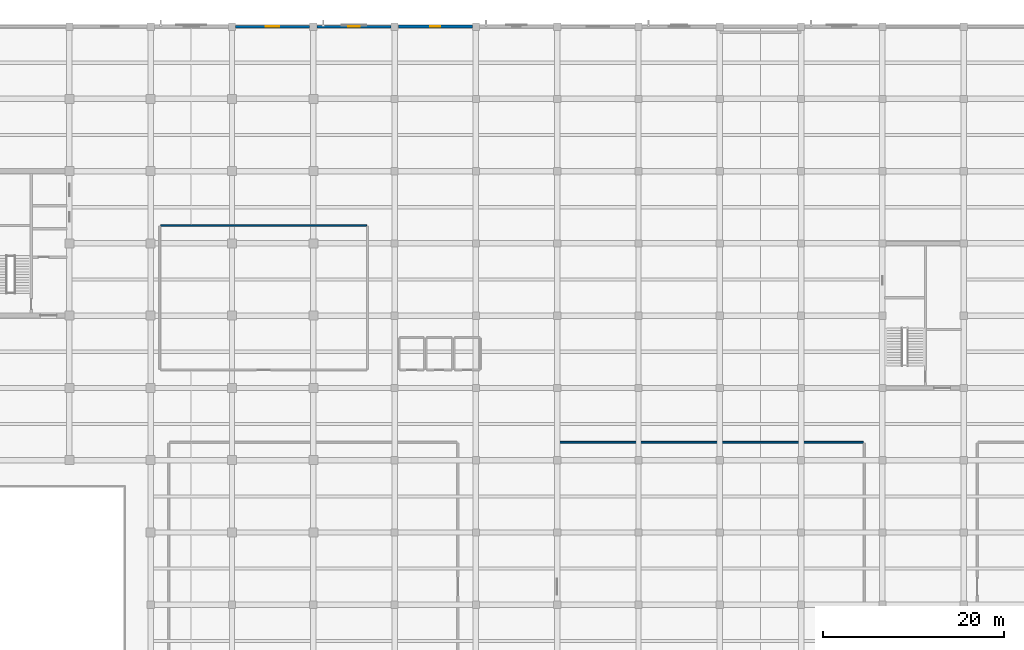
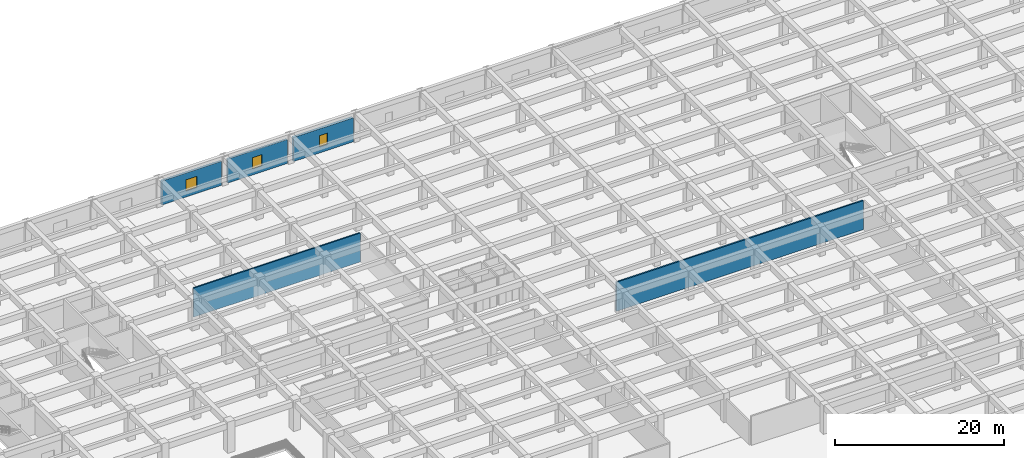
# One storey, part 15 of 32: 5 walls, 3 windows, 3 openings.
"""IFC4 building model written with IfcOpenShell, lengths in metres."""

from ifc_helpers import new_model, si_unit, direction, frame, frame_2d, origin, place, context, subcontext, project, spatial, rectangle, extrude, material, layer, layer_set, type_object, element, fill, save


model = new_model("IFC4")

# Units and contexts
model_context = context("Model", 3, precision=1e-05, world=origin(), true_north=direction((0.0, 1.0)))
body_context = subcontext(model_context, "Body", "Model", "MODEL_VIEW")
ifc_project = project(units=[si_unit("LENGTHUNIT", "METRE"), si_unit("AREAUNIT", "SQUARE_METRE"), si_unit("VOLUMEUNIT", "CUBIC_METRE"), si_unit("PLANEANGLEUNIT", "RADIAN"), si_unit("MASSUNIT", "GRAM", prefix="KILO")], contexts=[model_context])

# Site, building, storey
site_placement = place(None, origin())
site = spatial("IfcSite", under=ifc_project, at=site_placement, CompositionType="ELEMENT")
building_placement = place(site_placement, origin())
building = spatial("IfcBuilding", under=site, at=building_placement, Name="Zaverband Oceanarium and Marine Research Institute", CompositionType="ELEMENT")
storey_placement = place(building_placement, frame((0.0, 0.0, 13.5)))
storey = spatial("IfcBuildingStorey", under=building, at=storey_placement, Name="L03", CompositionType="ELEMENT", Elevation=13.5)

# Wall, opening, window
ifc_material_1 = material(Name="Concrete C40/50 precast", Category="concrete")
ifc_layer_1 = layer(ifc_material_1, 0.264892578125, Name="Concrete C40/50 precast")
ifc_layer_set_1 = layer_set([ifc_layer_1], Name="Concrete C40/50 precast")
wall_type_1 = type_object("IfcWallType", Name="EW-265", PredefinedType="STANDARD", material=ifc_layer_set_1)
wall_1_placement = place(storey_placement, frame((72.405029296875, 120.0, 0.0), z_axis=(0.0, 0.0, 1.0), x_axis=(1.0, 0.0, 0.0)))
wall_1 = element("IfcWall", 1, at=wall_1_placement, inside=storey, type_object=wall_type_1, Name="Exterior infill wall EW-265", PredefinedType="STANDARD", context=body_context, shape_type="SweptSolid", body=[
    extrude(rectangle(XDim=8.18994140625, YDim=0.264892578125, at=frame_2d((4.094970703125, 0.0))), origin(), (0.0, 0.0, 1.0), 3.47998046875),
])
opening_1_placement = place(wall_1_placement, frame((3.445068359375, 0.0, 0.85009765625)))
opening_1 = element("IfcOpeningElement", 2, at=opening_1_placement, cuts=wall_1, Name="Opening WN-1300x1650", PredefinedType="OPENING", context=body_context, shape_type="SweptSolid", body=[
    extrude(rectangle(XDim=1.300048828125, YDim=1.64990234375, at=frame_2d((0.64990234375, 0.824951171875))), frame((0.0, 0.14453125, 0.0), z_axis=(0.0, -1.0, 0.0), x_axis=(1.0, 0.0, 0.0)), (0.0, 0.0, 1.0), 0.288818359375),
])
ifc_material_2 = material(Name="Thermally broken anodized aluminium and solar-control glass", Category="aluminium")
window_type_1 = type_object("IfcWindowType", Name="WN-1300x1650", PartitioningType="SINGLE_PANEL", PredefinedType="WINDOW", material=ifc_material_2)
window_1_placement = place(opening_1_placement, origin())
window_1 = element("IfcWindow", 3, at=window_1_placement, inside=storey, type_object=window_type_1, Name="Fixed / casement exterior window WN-1300x1650", OverallHeight=1.64990234375, OverallWidth=1.300048828125, PartitioningType="SINGLE_PANEL", PredefinedType="WINDOW", context=body_context, shape_type="SweptSolid", body=[
    extrude(rectangle(XDim=1.300048828125, YDim=1.64990234375, at=frame_2d((0.64990234375, 0.824951171875))), frame((0.0, 0.030029296875, 0.0), z_axis=(0.0, -1.0, 0.0), x_axis=(1.0, 0.0, 0.0)), (0.0, 0.0, 1.0), 0.06005859375),
])
fill(opening_1, window_1)

ifc_layer_2 = layer(ifc_material_1, 0.2900390625, Name="Concrete C40/50 precast")
ifc_layer_set_2 = layer_set([ifc_layer_2], Name="Concrete C40/50 precast")
wall_type_2 = type_object("IfcWallType", Name="EW-290", PredefinedType="STANDARD", material=ifc_layer_set_2)
wall_2_placement = place(storey_placement, frame((63.405029296875, 120.0, 0.0), z_axis=(0.0, 0.0, 1.0), x_axis=(1.0, 0.0, 0.0)))
wall_2 = element("IfcWall", 4, at=wall_2_placement, inside=storey, type_object=wall_type_2, Name="Exterior infill wall EW-290", PredefinedType="STANDARD", context=body_context, shape_type="SweptSolid", body=[
    extrude(rectangle(XDim=8.18994140625, YDim=0.2900390625, at=frame_2d((4.094970703125, 0.0))), origin(), (0.0, 0.0, 1.0), 3.47998046875),
])
opening_2_placement = place(wall_2_placement, frame((3.344970703125, 0.0, 0.85009765625)))
opening_2 = element("IfcOpeningElement", 5, at=opening_2_placement, cuts=wall_2, Name="Opening WN-1500x1650", PredefinedType="OPENING", context=body_context, shape_type="SweptSolid", body=[
    extrude(rectangle(XDim=1.5, YDim=1.64990234375, at=frame_2d((0.75, 0.824951171875))), frame((0.0, 0.156982421875, 0.0), z_axis=(0.0, -1.0, 0.0), x_axis=(1.0, 0.0, 0.0)), (0.0, 0.0, 1.0), 0.31396484375),
])
window_type_2 = type_object("IfcWindowType", Name="WN-1500x1650", PartitioningType="SINGLE_PANEL", PredefinedType="WINDOW", material=ifc_material_2)
window_2_placement = place(opening_2_placement, origin())
window_2 = element("IfcWindow", 6, at=window_2_placement, inside=storey, type_object=window_type_2, Name="Fixed / casement exterior window WN-1500x1650", OverallHeight=1.64990234375, OverallWidth=1.5, PartitioningType="SINGLE_PANEL", PredefinedType="WINDOW", context=body_context, shape_type="SweptSolid", body=[
    extrude(rectangle(XDim=1.5, YDim=1.64990234375, at=frame_2d((0.75, 0.824951171875))), frame((0.0, 0.030029296875, 0.0), z_axis=(0.0, -1.0, 0.0), x_axis=(1.0, 0.0, 0.0)), (0.0, 0.0, 1.0), 0.06005859375),
])
fill(opening_2, window_2)

ifc_layer_3 = layer(ifc_material_1, 0.340087890625, Name="Concrete C40/50 precast")
ifc_layer_set_3 = layer_set([ifc_layer_3], Name="Concrete C40/50 precast")
wall_type_3 = type_object("IfcWallType", Name="EW-340", PredefinedType="STANDARD", material=ifc_layer_set_3)
wall_3_placement = place(storey_placement, frame((81.405029296875, 120.0, 0.0), z_axis=(0.0, 0.0, 1.0), x_axis=(1.0, 0.0, 0.0)))
wall_3 = element("IfcWall", 7, at=wall_3_placement, inside=storey, type_object=wall_type_3, Name="Exterior infill wall EW-340", PredefinedType="STANDARD", context=body_context, shape_type="SweptSolid", body=[
    extrude(rectangle(XDim=8.18994140625, YDim=0.340087890625, at=frame_2d((4.094970703125, 0.0))), origin(), (0.0, 0.0, 1.0), 3.47998046875),
])
opening_3_placement = place(wall_3_placement, frame((3.544921875, 0.0, 0.85009765625)))
opening_3 = element("IfcOpeningElement", 8, at=opening_3_placement, cuts=wall_3, Name="Opening WN-1100x1650", PredefinedType="OPENING", context=body_context, shape_type="SweptSolid", body=[
    extrude(rectangle(XDim=1.10009765625, YDim=1.64990234375, at=frame_2d((0.550048828125, 0.824951171875))), frame((0.0, 0.18212890625, 0.0), z_axis=(0.0, -1.0, 0.0), x_axis=(1.0, 0.0, 0.0)), (0.0, 0.0, 1.0), 0.364013671875),
])
window_type_3 = type_object("IfcWindowType", Name="WN-1100x1650", PartitioningType="SINGLE_PANEL", PredefinedType="WINDOW", material=ifc_material_2)
window_3_placement = place(opening_3_placement, origin())
window_3 = element("IfcWindow", 9, at=window_3_placement, inside=storey, type_object=window_type_3, Name="Fixed / casement exterior window WN-1100x1650", OverallHeight=1.64990234375, OverallWidth=1.10009765625, PartitioningType="SINGLE_PANEL", PredefinedType="WINDOW", context=body_context, shape_type="SweptSolid", body=[
    extrude(rectangle(XDim=1.10009765625, YDim=1.64990234375, at=frame_2d((0.550048828125, 0.824951171875))), frame((0.0, 0.030029296875, 0.0), z_axis=(0.0, -1.0, 0.0), x_axis=(1.0, 0.0, 0.0)), (0.0, 0.0, 1.0), 0.06005859375),
])
fill(opening_3, window_3)

# Walls
ifc_material_3 = material(Name="Moisture-resistant laboratory blockwork", Category="masonry")
ifc_layer_4 = layer(ifc_material_3, 0.179931640625, Name="Moisture-resistant laboratory blockwork")
ifc_layer_set_4 = layer_set([ifc_layer_4], Name="Moisture-resistant laboratory blockwork")
wall_type_4 = type_object("IfcWallType", Name="PT-180-LB", PredefinedType="PARTITIONING", material=ifc_layer_set_4)
wall_4_placement = place(storey_placement, frame((55.090087890625, 98.0, 0.0), z_axis=(0.0, 0.0, 1.0), x_axis=(1.0, 0.0, 0.0)))
element("IfcWall", 10, at=wall_4_placement, inside=storey, type_object=wall_type_4, Name="Internal partition PT-180-LB", PredefinedType="PARTITIONING", context=body_context, shape_type="SweptSolid", body=[
    extrude(rectangle(XDim=22.81982421875, YDim=0.179931640625, at=frame_2d((11.409912109375, 0.0))), origin(), (0.0, 0.0, 1.0), 4.199951171875),
])
ifc_material_4 = material(Name="Fire-rated masonry compartment wall", Category="masonry")
ifc_layer_5 = layer(ifc_material_4, 0.199951171875, Name="Fire-rated masonry compartment wall")
ifc_layer_set_5 = layer_set([ifc_layer_5], Name="Fire-rated masonry compartment wall")
wall_type_5 = type_object("IfcWallType", Name="PT-200-FR", PredefinedType="PARTITIONING", material=ifc_layer_set_5)
wall_5_placement = place(storey_placement, frame((99.10009765625, 74.0, 0.0), z_axis=(0.0, 0.0, 1.0), x_axis=(1.0, 0.0, 0.0)))
element("IfcWall", 11, at=wall_5_placement, inside=storey, type_object=wall_type_5, Name="Internal partition PT-200-FR", PredefinedType="PARTITIONING", context=body_context, shape_type="SweptSolid", body=[
    extrude(rectangle(XDim=33.7998046875, YDim=0.199951171875, at=frame_2d((16.89990234375, 0.0))), origin(), (0.0, 0.0, 1.0), 4.199951171875),
])

save(model, "model.ifc")
